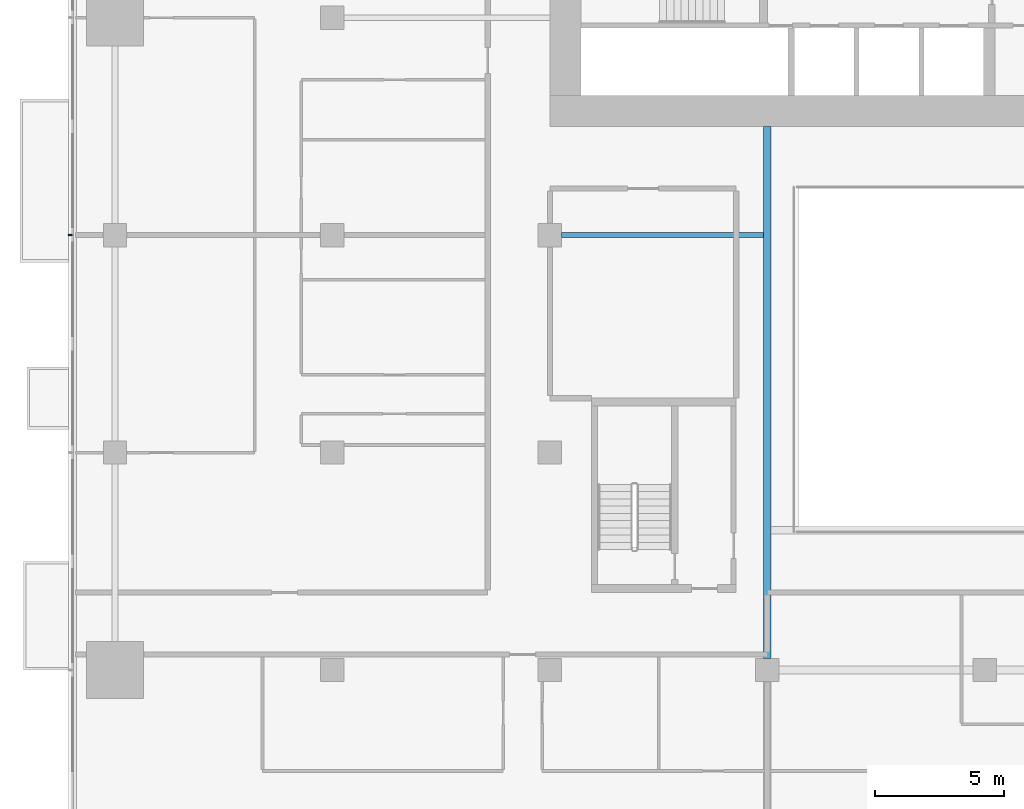
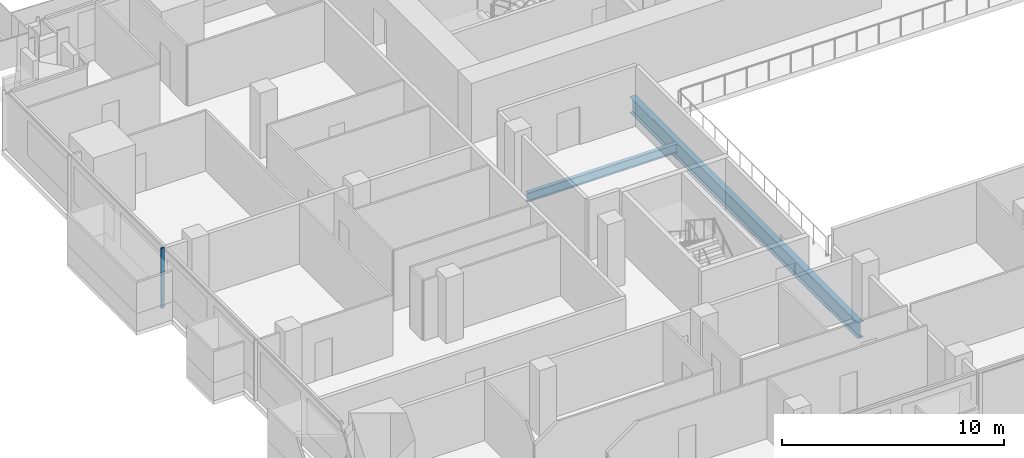
# One storey, part 4 of 29: 2 beams, 1 member, 1 element without a shape of its own.
"""IFC4 building model written with IfcOpenShell, lengths in metres."""

from ifc_helpers import new_model, si_unit, direction, frame, origin, origin_2d, place, context, subcontext, project, spatial, rectangle, i_section, extrude, material, material_profile, profile_set, type_object, element, aggregate, save


model = new_model("IFC4")

# Units and contexts
model_context = context("Model", 3, precision=1e-05, world=origin(), true_north=direction((0.0, 1.0)))
body_context = subcontext(model_context, "Body", "Model", "MODEL_VIEW")
ifc_project = project(units=[si_unit("LENGTHUNIT", "METRE"), si_unit("AREAUNIT", "SQUARE_METRE"), si_unit("VOLUMEUNIT", "CUBIC_METRE"), si_unit("PLANEANGLEUNIT", "RADIAN"), si_unit("MASSUNIT", "GRAM", prefix="KILO")], contexts=[model_context])

# Site, building, storey
site_placement = place(None, origin())
site = spatial("IfcSite", under=ifc_project, at=site_placement, CompositionType="ELEMENT")
building_placement = place(site_placement, origin())
building = spatial("IfcBuilding", under=site, at=building_placement, Name="Saffron Gate Tower", CompositionType="ELEMENT")
storey_placement = place(building_placement, frame((0.0, 0.0, 48.0)))
storey = spatial("IfcBuildingStorey", under=building, at=storey_placement, Name="L10", CompositionType="ELEMENT", Elevation=48.0)

# Beams
ifc_material_1 = material(Name="Structural steel S355", Category="steel")
ifc_material_profile_1 = material_profile(ifc_material_1, i_section(OverallWidth=0.199951171875, OverallDepth=0.5, WebThickness=0.01025390625, FlangeThickness=0.01611328125, FilletRadius=0.02099609375, at=origin_2d()))
ifc_profile_set_1 = profile_set([ifc_material_profile_1], Name="Structural steel S355")
beam_type_1 = type_object("IfcBeamType", Name="B10 IPE 500", PredefinedType="BEAM", material=ifc_profile_set_1)
beam_1_placement = place(storey_placement, frame((67.050048828125, 57.0, -0.530029296875), z_axis=(1.0, 0.0, 0.0), x_axis=(0.0, 1.0, 0.0)))
element("IfcBeam", 1, at=beam_1_placement, inside=storey, type_object=beam_type_1, Name="B10 CORE TIE BEAM", PredefinedType="BEAM", context=body_context, shape_type="SweptSolid", body=[
    extrude(i_section(OverallWidth=0.199951171875, OverallDepth=0.5, WebThickness=0.01025390625, FlangeThickness=0.01611328125, FilletRadius=0.02099609375, at=origin_2d()), origin(), (0.0, 0.0, 1.0), 7.800048828125),
])
ifc_material_profile_2 = material_profile(ifc_material_1, i_section(OverallWidth=0.300048828125, OverallDepth=0.889892578125, WebThickness=0.01611328125, FlangeThickness=0.030029296875, FilletRadius=0.030029296875, at=origin_2d()))
ifc_profile_set_2 = profile_set([ifc_material_profile_2], Name="Structural steel S355")
beam_type_2 = type_object("IfcBeamType", Name="B19 HEA 900", PredefinedType="BEAM", material=ifc_profile_set_2)
beam_2_placement = place(storey_placement, frame((75.0, 40.64990234375, -0.72509765625), z_axis=(0.0, 1.0, 0.0), x_axis=(-1.0, 0.0, 0.0)))
element("IfcBeam", 2, at=beam_2_placement, inside=storey, type_object=beam_type_2, Name="B19 ATRIUM GIRDER", PredefinedType="BEAM", context=body_context, shape_type="SweptSolid", body=[
    extrude(i_section(OverallWidth=0.300048828125, OverallDepth=0.889892578125, WebThickness=0.01611328125, FlangeThickness=0.030029296875, FilletRadius=0.030029296875, at=origin_2d()), origin(), (0.0, 0.0, 1.0), 20.550048828125),
])

# Curtain wall, member
ifc_material_2 = material(Name="Aluminium, bronze anodised", Category="aluminium")
curtain_wall_type = type_object("IfcCurtainWallType", Name="CWS2 curtain wall side facades", PredefinedType="NOTDEFINED", material=ifc_material_2)
curtain_wall_placement = place(storey_placement, origin())
curtain_wall = element("IfcCurtainWall", 3, at=curtain_wall_placement, inside=storey, type_object=curtain_wall_type, Name="CWS2 run 10", PredefinedType="NOTDEFINED")
ifc_material_profile_3 = material_profile(ifc_material_2, rectangle(XDim=0.159912109375, YDim=0.06005859375, at=origin_2d()))
ifc_profile_set_3 = profile_set([ifc_material_profile_3], Name="Aluminium, bronze anodised")
member_type = type_object("IfcMemberType", Name="CWS2 mullion 60x160", PredefinedType="MULLION", material=ifc_profile_set_3)
member_placement = place(storey_placement, frame((48.080078125, 57.0, 0.0), z_axis=(0.0, 0.0, 1.0), x_axis=(1.0, 0.0, 0.0)))
member = element("IfcMember", 4, at=member_placement, type_object=member_type, Name="CWS2 mullion 3", PredefinedType="MULLION", context=body_context, shape_type="SweptSolid", body=[
    extrude(rectangle(XDim=0.159912109375, YDim=0.06005859375, at=origin_2d()), origin(), (0.0, 0.0, 1.0), 3.320068359375),
])
aggregate(curtain_wall, [member])

save(model, "model.ifc")
